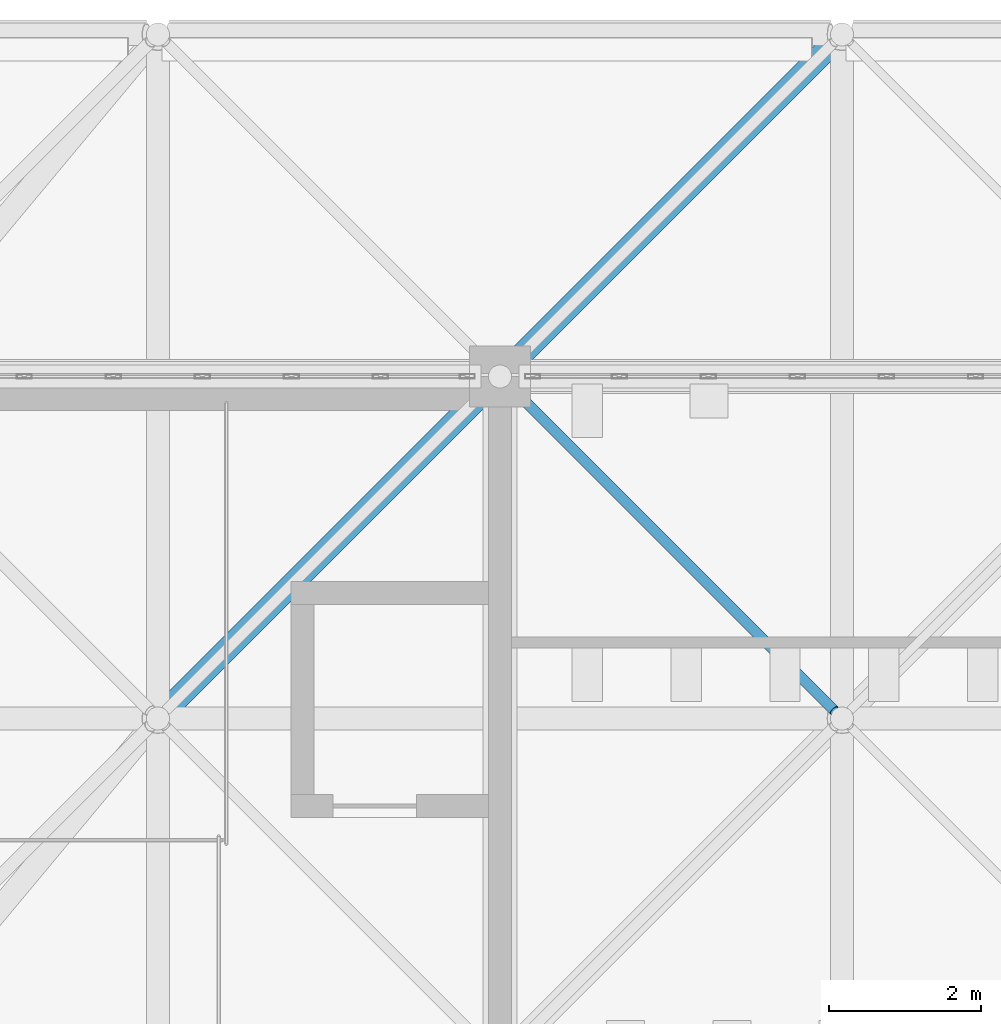
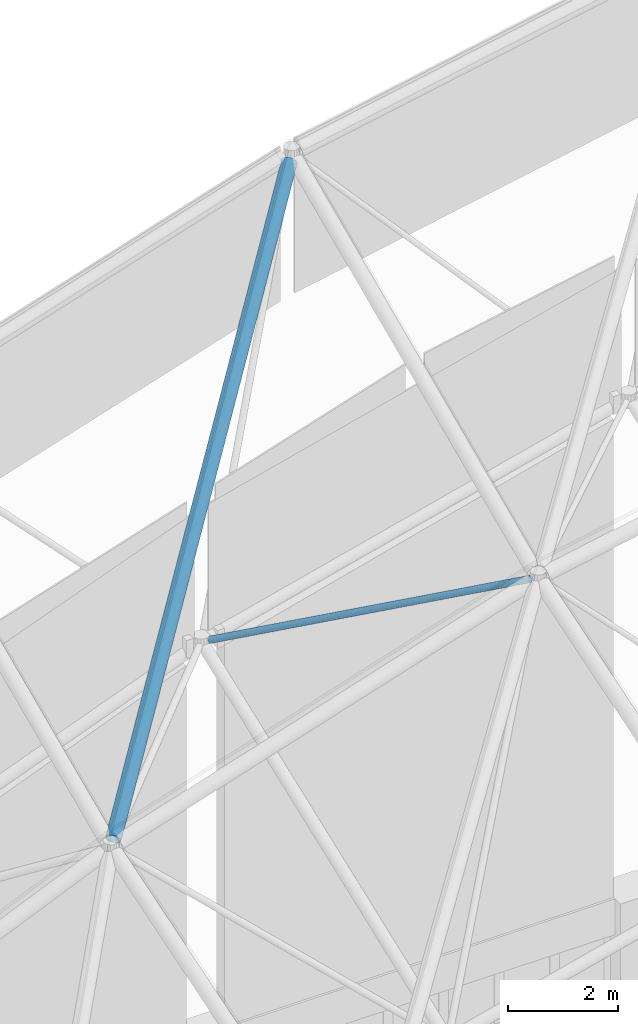
# One storey, part 108 of 437: 2 members.
"""IFC4 building model written with IfcOpenShell, lengths in metres."""

from ifc_helpers import new_model, si_unit, direction, frame, origin, origin_2d, place, context, subcontext, project, spatial, hollow_circle, extrude, material, material_profile, profile_set, type_object, element, save


model = new_model("IFC4")

# Units and contexts
model_context = context("Model", 3, precision=1e-05, world=origin(), true_north=direction((0.0, 1.0)))
body_context = subcontext(model_context, "Body", "Model", "MODEL_VIEW")
ifc_project = project(units=[si_unit("LENGTHUNIT", "METRE"), si_unit("AREAUNIT", "SQUARE_METRE"), si_unit("VOLUMEUNIT", "CUBIC_METRE"), si_unit("PLANEANGLEUNIT", "RADIAN"), si_unit("MASSUNIT", "GRAM", prefix="KILO")], contexts=[model_context])

# Site, building, storey
site_placement = place(None, origin())
site = spatial("IfcSite", under=ifc_project, at=site_placement, CompositionType="ELEMENT")
building_placement = place(site_placement, origin())
building = spatial("IfcBuilding", under=site, at=building_placement, Name="Opaline Strait Convention Centre", CompositionType="ELEMENT")
storey_placement = place(building_placement, frame((0.0, 0.0, 11.5)))
storey = spatial("IfcBuildingStorey", under=building, at=storey_placement, Name="L02", CompositionType="ELEMENT", Elevation=11.5)

# Members
ifc_material = material(Name="Steel Q355B", Category="steel")
ifc_material_profile_1 = material_profile(ifc_material, hollow_circle(Radius=0.1494140625, WallThickness=0.01611328125, at=origin_2d()), Name="CHS 299x16")
ifc_profile_set_1 = profile_set([ifc_material_profile_1], Name="Steel Q355B")
member_type_1 = type_object("IfcMemberType", Name="Shell truss top chord CHS 299x16", PredefinedType="CHORD", material=ifc_profile_set_1)
member_1_placement = place(storey_placement, frame((13.606201171875, 175.606201171875, 13.92578125), z_axis=(0.622507518632, 0.622507518632, 0.474308737525), x_axis=(-0.707106781187, 0.707106781187, 0.0)))
element("IfcMember", 1, at=member_1_placement, inside=storey, type_object=member_type_1, Name="PTC1 top chord D2-8", PredefinedType="CHORD", context=body_context, shape_type="SweptSolid", body=[
    extrude(hollow_circle(Radius=0.1494140625, WallThickness=0.01611328125, at=origin_2d()), origin(), (0.0, 0.0, 1.0), 14.116455078125),
])
ifc_material_profile_2 = material_profile(ifc_material, hollow_circle(Radius=0.070068359375, WallThickness=0.008056640625, at=origin_2d()), Name="CHS 140x8")
ifc_profile_set_2 = profile_set([ifc_material_profile_2], Name="Steel Q355B")
member_type_2 = type_object("IfcMemberType", Name="Shell truss web CHS 140x8", PredefinedType="BRACE", material=ifc_profile_set_2)
member_2_placement = place(storey_placement, frame((18.106201171875, 179.893798828125, 14.184326171875), z_axis=(0.655347879398, -0.655347879398, 0.375550680917), x_axis=(0.707106781187, 0.707106781187, 0.0)))
element("IfcMember", 2, at=member_2_placement, inside=storey, type_object=member_type_2, Name="PWB2 web 2-8bc", PredefinedType="BRACE", context=body_context, shape_type="SweptSolid", body=[
    extrude(hollow_circle(Radius=0.070068359375, WallThickness=0.008056640625, at=origin_2d()), origin(), (0.0, 0.0, 1.0), 6.54248046875),
])

save(model, "model.ifc")
